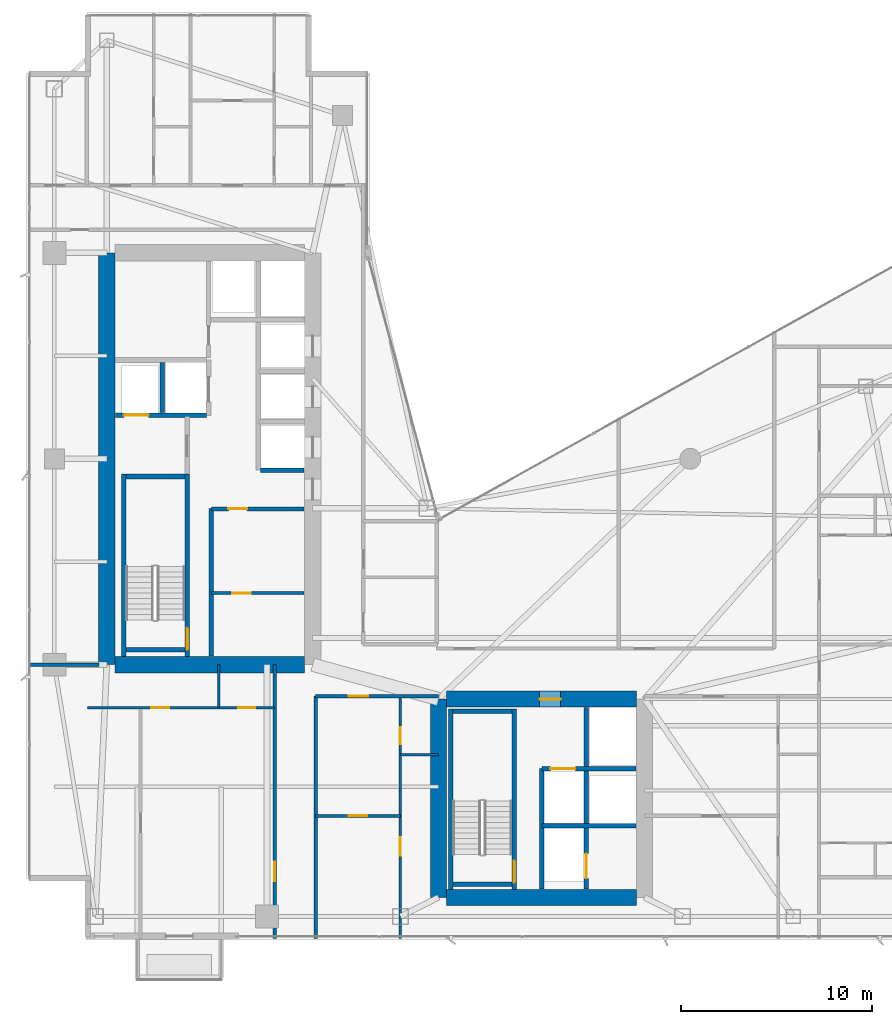
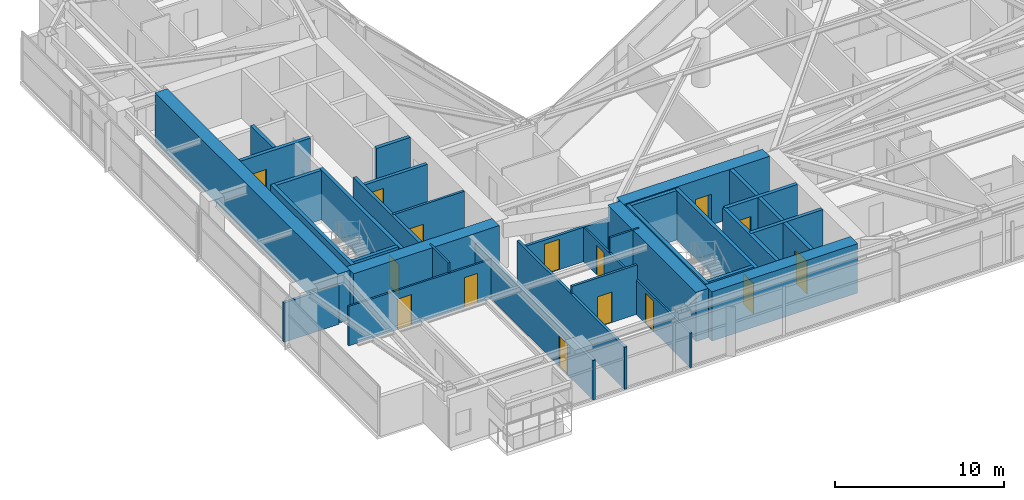
# One storey, part 22 of 28: 32 walls, 15 doors, 15 openings.
"""IFC4 building model written with IfcOpenShell, lengths in metres."""

from ifc_helpers import new_model, si_unit, direction, frame, frame_2d, origin, place, context, subcontext, project, spatial, rectangle, extrude, material, layer, layer_set, type_object, element, fill, save


model = new_model("IFC4")

# Units and contexts
model_context = context("Model", 3, precision=1e-05, world=origin(), true_north=direction((0.0, 1.0)))
body_context = subcontext(model_context, "Body", "Model", "MODEL_VIEW")
ifc_project = project(units=[si_unit("LENGTHUNIT", "METRE"), si_unit("AREAUNIT", "SQUARE_METRE"), si_unit("VOLUMEUNIT", "CUBIC_METRE"), si_unit("PLANEANGLEUNIT", "RADIAN"), si_unit("MASSUNIT", "GRAM", prefix="KILO")], contexts=[model_context])

# Site, building, storey
site_placement = place(None, origin())
site = spatial("IfcSite", under=ifc_project, at=site_placement, CompositionType="ELEMENT")
building_placement = place(site_placement, origin())
building = spatial("IfcBuilding", under=site, at=building_placement, Name="Calvorn Quay Hotel", CompositionType="ELEMENT")
storey_placement = place(building_placement, frame((0.0, 0.0, 127.800048828125)))
storey = spatial("IfcBuildingStorey", under=building, at=storey_placement, Name="L31", CompositionType="ELEMENT", Elevation=127.800048828125)

# Walls
ifc_material_1 = material(Name="Concrete C50", Category="concrete")
ifc_layer_1 = layer(ifc_material_1, 0.85009765625)
ifc_layer_set_1 = layer_set([ifc_layer_1], Name="WL-CORE-850")
wall_type_1 = type_object("IfcWallType", Name="WL-CORE-850", PredefinedType="SHEAR", material=ifc_layer_set_1)
wall_1_placement = place(storey_placement, frame((4.199951171875, 16.800048828125, 0.0), z_axis=(0.0, 0.0, 1.0), x_axis=(0.0, 1.0, 0.0)))
element("IfcWall", 1, at=wall_1_placement, inside=storey, type_object=wall_type_1, Name="West Core Shear Wall W (L31)", PredefinedType="SHEAR", context=body_context, shape_type="SweptSolid", body=[
    extrude(rectangle(XDim=21.599853515625, YDim=0.85009765625, at=frame_2d((10.7998046875, 0.0))), origin(), (0.0, 0.0, 1.0), 3.56005859375),
])
wall_2_placement = place(storey_placement, frame((4.625, 16.800048828125, 0.0), z_axis=(0.0, 0.0, 1.0), x_axis=(1.0, 0.0, 0.0)))
element("IfcWall", 2, at=wall_2_placement, inside=storey, type_object=wall_type_1, Name="West Core Shear Wall S (L31)", PredefinedType="SHEAR", context=body_context, shape_type="SweptSolid", body=[
    extrude(rectangle(XDim=9.949951171875, YDim=0.85009765625, at=frame_2d((4.97509765625, 0.0))), origin(), (0.0, 0.0, 1.0), 3.56005859375),
])
wall_3_placement = place(storey_placement, frame((21.60009765625, 4.60009765625, 0.0), z_axis=(0.0, 0.0, 1.0), x_axis=(0.0, 1.0, 0.0)))
element("IfcWall", 3, at=wall_3_placement, inside=storey, type_object=wall_type_1, Name="East Core Shear Wall W (L31)", PredefinedType="SHEAR", context=body_context, shape_type="SweptSolid", body=[
    extrude(rectangle(XDim=10.39990234375, YDim=0.85009765625, at=frame_2d((5.199951171875, 0.0))), origin(), (0.0, 0.0, 1.0), 3.56005859375),
])

# Wall, opening, door
wall_4_placement = place(storey_placement, frame((22.02490234375, 15.0, 0.0), z_axis=(0.0, 0.0, 1.0), x_axis=(1.0, 0.0, 0.0)))
wall_4 = element("IfcWall", 4, at=wall_4_placement, inside=storey, type_object=wall_type_1, Name="East Core Shear Wall N (L31)", PredefinedType="SHEAR", context=body_context, shape_type="SweptSolid", body=[
    extrude(rectangle(XDim=9.9501953125, YDim=0.85009765625, at=frame_2d((4.97509765625, 0.0))), origin(), (0.0, 0.0, 1.0), 3.56005859375),
])
opening_1_placement = place(wall_4_placement, frame((4.8798828125, 0.0, 0.0)))
opening_1 = element("IfcOpeningElement", 5, at=opening_1_placement, cuts=wall_4, Name="Opening D-L31-FLE", PredefinedType="OPENING", context=body_context, shape_type="SweptSolid", body=[
    extrude(rectangle(XDim=1.10009765625, YDim=2.199951171875, at=frame_2d((0.550048828125, 1.10009765625))), frame((0.0, 0.43505859375, 0.0), z_axis=(0.0, -1.0, 0.0), x_axis=(1.0, 0.0, 0.0)), (0.0, 0.0, 1.0), 0.8701171875),
])
ifc_material_2 = material(Name="Smoke-Sealed Steel Class A Fire Door", Category="steel")
door_type_1 = type_object("IfcDoorType", Name="DR-FFLOBBY-1100", OperationType="NOTDEFINED", PredefinedType="DOOR", material=ifc_material_2)
door_1_placement = place(opening_1_placement, origin())
door_1 = element("IfcDoor", 6, at=door_1_placement, inside=storey, type_object=door_type_1, Name="East Firefighting Lobby Fire Door (L31)", OperationType="SINGLE_SWING_LEFT", OverallHeight=2.199951171875, OverallWidth=1.10009765625, PredefinedType="DOOR", context=body_context, shape_type="SweptSolid", body=[
    extrude(rectangle(XDim=1.10009765625, YDim=2.199951171875, at=frame_2d((0.550048828125, 1.10009765625))), frame((0.0, 0.02490234375, 0.0), z_axis=(0.0, -1.0, 0.0), x_axis=(1.0, 0.0, 0.0)), (0.0, 0.0, 1.0), 0.050048828125),
])
fill(opening_1, door_1)

# Walls
wall_5_placement = place(storey_placement, frame((22.02490234375, 4.60009765625, 0.0), z_axis=(0.0, 0.0, 1.0), x_axis=(1.0, 0.0, 0.0)))
element("IfcWall", 7, at=wall_5_placement, inside=storey, type_object=wall_type_1, Name="East Core Shear Wall S (L31)", PredefinedType="SHEAR", context=body_context, shape_type="SweptSolid", body=[
    extrude(rectangle(XDim=9.9501953125, YDim=0.85009765625, at=frame_2d((4.97509765625, 0.0))), origin(), (0.0, 0.0, 1.0), 3.56005859375),
])
ifc_material_3 = material(Name="Acoustic Fireboard Steel-Stud Partition", Category="steel")
ifc_layer_2 = layer(ifc_material_3, 0.179931640625)
ifc_layer_set_2 = layer_set([ifc_layer_2], Name="WL-CORR-FIRE-180")
wall_type_2 = type_object("IfcWallType", Name="WL-CORR-FIRE-180", PredefinedType="PARTITIONING", material=ifc_layer_set_2)
wall_6_placement = place(storey_placement, frame((0.080078125, 16.800048828125, 0.0), z_axis=(0.0, 0.0, 1.0), x_axis=(1.0, 0.0, 0.0)))
element("IfcWall", 8, at=wall_6_placement, inside=storey, type_object=wall_type_2, Name="Partition Wall L31-WL-WBAY-S-WALL", PredefinedType="PARTITIONING", context=body_context, shape_type="SweptSolid", body=[
    extrude(rectangle(XDim=3.724853515625, YDim=0.179931640625, at=frame_2d((1.8623046875, 0.0))), origin(), (0.0, 0.0, 1.0), 2.83984375),
])

# Wall, opening, door
wall_7_placement = place(storey_placement, frame((13.0, 2.43994140625, 0.0), z_axis=(0.0, 0.0, 1.0), x_axis=(0.0, 1.0, 0.0)))
wall_7 = element("IfcWall", 9, at=wall_7_placement, inside=storey, type_object=wall_type_2, Name="Partition Wall L31-WL-CORR-SW-LEG-W", PredefinedType="PARTITIONING", context=body_context, shape_type="SweptSolid", body=[
    extrude(rectangle(XDim=14.360107421875, YDim=0.179931640625, at=frame_2d((7.18017578125, 0.0))), origin(), (0.0, 0.0, 1.0), 2.83984375),
])
opening_2_placement = place(wall_7_placement, frame((3.010009765625, 0.0, 0.0)))
opening_2 = element("IfcOpeningElement", 10, at=opening_2_placement, cuts=wall_7, Name="Opening D-L31-U01", PredefinedType="OPENING", context=body_context, shape_type="SweptSolid", body=[
    extrude(rectangle(XDim=1.02001953125, YDim=2.199951171875, at=frame_2d((0.510009765625, 1.10009765625))), frame((0.0, 0.099853515625, 0.0), z_axis=(0.0, -1.0, 0.0), x_axis=(1.0, 0.0, 0.0)), (0.0, 0.0, 1.0), 0.199951171875),
])
ifc_material_4 = material(Name="Solid-Core Walnut Veneer Hotel Fire Door")
door_type_2 = type_object("IfcDoorType", Name="DR-GUEST-ENTRY-1020", OperationType="NOTDEFINED", PredefinedType="DOOR", material=ifc_material_4)
door_2_placement = place(opening_2_placement, origin())
door_2 = element("IfcDoor", 11, at=door_2_placement, inside=storey, type_object=door_type_2, Name="South-West Unit Door U01 (L31)", OperationType="SINGLE_SWING_LEFT", OverallHeight=2.199951171875, OverallWidth=1.02001953125, PredefinedType="DOOR", context=body_context, shape_type="SweptSolid", body=[
    extrude(rectangle(XDim=1.02001953125, YDim=2.199951171875, at=frame_2d((0.510009765625, 1.10009765625))), frame((0.0, 0.02490234375, 0.0), z_axis=(0.0, -1.0, 0.0), x_axis=(1.0, 0.0, 0.0)), (0.0, 0.0, 1.0), 0.050048828125),
])
fill(opening_2, door_2)

# Wall
wall_8_placement = place(storey_placement, frame((15.14990234375, 2.43994140625, 0.0), z_axis=(0.0, 0.0, 1.0), x_axis=(0.0, 1.0, 0.0)))
element("IfcWall", 12, at=wall_8_placement, inside=storey, type_object=wall_type_2, Name="Partition Wall L31-WL-CORR-SW-W", PredefinedType="PARTITIONING", context=body_context, shape_type="SweptSolid", body=[
    extrude(rectangle(XDim=12.7099609375, YDim=0.179931640625, at=frame_2d((6.35498046875, 0.0))), origin(), (0.0, 0.0, 1.0), 3.0400390625),
])

# Wall, opening, door
wall_9_placement = place(storey_placement, frame((15.14990234375, 15.14990234375, 0.0), z_axis=(0.0, 0.0, 1.0), x_axis=(1.0, 0.0, 0.0)))
wall_9 = element("IfcWall", 13, at=wall_9_placement, inside=storey, type_object=wall_type_2, Name="Partition Wall L31-WL-SC-CORR-S", PredefinedType="PARTITIONING", context=body_context, shape_type="SweptSolid", body=[
    extrude(rectangle(XDim=6.4501953125, YDim=0.179931640625, at=frame_2d((3.22509765625, 0.0))), origin(), (0.0, 0.0, 1.0), 2.489990234375),
])
opening_3_placement = place(wall_9_placement, frame((1.739990234375, 0.0, 0.0)))
opening_3 = element("IfcOpeningElement", 14, at=opening_3_placement, cuts=wall_9, Name="Opening D-L31-U02", PredefinedType="OPENING", context=body_context, shape_type="SweptSolid", body=[
    extrude(rectangle(XDim=1.02001953125, YDim=2.199951171875, at=frame_2d((0.510009765625, 1.10009765625))), frame((0.0, 0.099853515625, 0.0), z_axis=(0.0, -1.0, 0.0), x_axis=(1.0, 0.0, 0.0)), (0.0, 0.0, 1.0), 0.199951171875),
])
door_3_placement = place(opening_3_placement, origin())
door_3 = element("IfcDoor", 15, at=door_3_placement, inside=storey, type_object=door_type_2, Name="Harbour Central Unit Door (L31)", OperationType="SINGLE_SWING_LEFT", OverallHeight=2.199951171875, OverallWidth=1.02001953125, PredefinedType="DOOR", context=body_context, shape_type="SweptSolid", body=[
    extrude(rectangle(XDim=1.02001953125, YDim=2.199951171875, at=frame_2d((0.510009765625, 1.10009765625))), frame((0.0, 0.02490234375, 0.0), z_axis=(0.0, -1.0, 0.0), x_axis=(1.0, 0.0, 0.0)), (0.0, 0.0, 1.0), 0.050048828125),
])
fill(opening_3, door_3)

# Wall
ifc_material_5 = material(Name="Moisture-Resistant Tile-Backed Partition")
ifc_layer_3 = layer(ifc_material_5, 0.125)
ifc_layer_set_3 = layer_set([ifc_layer_3], Name="WL-ENSUITE-125")
wall_type_3 = type_object("IfcWallType", Name="WL-ENSUITE-125", PredefinedType="PARTITIONING", material=ifc_layer_set_3)
wall_10_placement = place(storey_placement, frame((10.080078125, 14.550048828125, 0.0), z_axis=(0.0, 0.0, 1.0), x_axis=(0.0, 1.0, 0.0)))
element("IfcWall", 16, at=wall_10_placement, inside=storey, type_object=wall_type_3, Name="Partition Wall L31-WL-U01-BDV", PredefinedType="PARTITIONING", context=body_context, shape_type="SweptSolid", body=[
    extrude(rectangle(XDim=2.25, YDim=0.125, at=frame_2d((1.125, 0.0))), origin(), (0.0, 0.0, 1.0), 3.56005859375),
])

# Wall, openings, doors
wall_11_placement = place(storey_placement, frame((3.199951171875, 14.550048828125, 0.0), z_axis=(0.0, 0.0, 1.0), x_axis=(1.0, 0.0, 0.0)))
wall_11 = element("IfcWall", 17, at=wall_11_placement, inside=storey, type_object=wall_type_3, Name="Partition Wall L31-WL-U01-BH", PredefinedType="PARTITIONING", context=body_context, shape_type="SweptSolid", body=[
    extrude(rectangle(XDim=9.800048828125, YDim=0.125, at=frame_2d((4.89990234375, 0.0))), origin(), (0.0, 0.0, 1.0), 2.83984375),
])
opening_4_placement = place(wall_11_placement, frame((3.320068359375, 0.0, 0.0)))
opening_4 = element("IfcOpeningElement", 18, at=opening_4_placement, cuts=wall_11, Name="Opening D-L31-S01", PredefinedType="OPENING", context=body_context, shape_type="SweptSolid", body=[
    extrude(rectangle(XDim=0.9599609375, YDim=2.199951171875, at=frame_2d((0.47998046875, 1.10009765625))), frame((0.0, 0.072509765625, 0.0), z_axis=(0.0, -1.0, 0.0), x_axis=(1.0, 0.0, 0.0)), (0.0, 0.0, 1.0), 0.14501953125),
])
opening_5_placement = place(wall_11_placement, frame((7.889892578125, 0.0, 0.0)))
opening_5 = element("IfcOpeningElement", 19, at=opening_5_placement, cuts=wall_11, Name="Opening D-L31-E01", PredefinedType="OPENING", context=body_context, shape_type="SweptSolid", body=[
    extrude(rectangle(XDim=0.89990234375, YDim=2.14990234375, at=frame_2d((0.449951171875, 1.074951171875))), frame((0.0, 0.072509765625, 0.0), z_axis=(0.0, -1.0, 0.0), x_axis=(1.0, 0.0, 0.0)), (0.0, 0.0, 1.0), 0.14501953125),
])
ifc_material_6 = material(Name="Moisture-Sealed Timber En-Suite Door", Category="wood")
door_type_3 = type_object("IfcDoorType", Name="DR-ENSUITE-900", OperationType="NOTDEFINED", PredefinedType="DOOR", material=ifc_material_6)
door_4_placement = place(opening_5_placement, origin())
door_4 = element("IfcDoor", 20, at=door_4_placement, inside=storey, type_object=door_type_3, Name="En-Suite Door 01", OperationType="SINGLE_SWING_RIGHT", OverallHeight=2.14990234375, OverallWidth=0.89990234375, PredefinedType="DOOR", context=body_context, shape_type="SweptSolid", body=[
    extrude(rectangle(XDim=0.89990234375, YDim=2.14990234375, at=frame_2d((0.449951171875, 1.074951171875))), frame((0.0, 0.02490234375, 0.0), z_axis=(0.0, -1.0, 0.0), x_axis=(1.0, 0.0, 0.0)), (0.0, 0.0, 1.0), 0.050048828125),
])
fill(opening_5, door_4)
ifc_material_7 = material(Name="Solid Timber Internal Suite Door", Category="wood")
door_type_4 = type_object("IfcDoorType", Name="DR-SUITE-INT-960", OperationType="NOTDEFINED", PredefinedType="DOOR", material=ifc_material_7)
door_5_placement = place(opening_4_placement, origin())
door_5 = element("IfcDoor", 21, at=door_5_placement, inside=storey, type_object=door_type_4, Name="Walk-In Wardrobe Door 01", OperationType="SINGLE_SWING_LEFT", OverallHeight=2.199951171875, OverallWidth=0.9599609375, PredefinedType="DOOR", context=body_context, shape_type="SweptSolid", body=[
    extrude(rectangle(XDim=0.9599609375, YDim=2.199951171875, at=frame_2d((0.47998046875, 1.10009765625))), frame((0.0, 0.02490234375, 0.0), z_axis=(0.0, -1.0, 0.0), x_axis=(1.0, 0.0, 0.0)), (0.0, 0.0, 1.0), 0.050048828125),
])
fill(opening_4, door_5)

# Wall
wall_12_placement = place(storey_placement, frame((19.60009765625, 12.070068359375, 0.0), z_axis=(0.0, 0.0, 1.0), x_axis=(1.0, 0.0, 0.0)))
element("IfcWall", 22, at=wall_12_placement, inside=storey, type_object=wall_type_3, Name="Partition Wall L31-WL-U02-BDV", PredefinedType="PARTITIONING", context=body_context, shape_type="SweptSolid", body=[
    extrude(rectangle(XDim=2.0, YDim=0.125, at=frame_2d((1.0, 0.0))), origin(), (0.0, 0.0, 1.0), 3.56005859375),
])

# Wall, openings, doors
wall_13_placement = place(storey_placement, frame((19.60009765625, 2.43994140625, 0.0), z_axis=(0.0, 0.0, 1.0), x_axis=(0.0, 1.0, 0.0)))
wall_13 = element("IfcWall", 23, at=wall_13_placement, inside=storey, type_object=wall_type_3, Name="Partition Wall L31-WL-U02-BV", PredefinedType="PARTITIONING", context=body_context, shape_type="SweptSolid", body=[
    extrude(rectangle(XDim=12.7099609375, YDim=0.125, at=frame_2d((6.35498046875, 0.0))), origin(), (0.0, 0.0, 1.0), 2.489990234375),
])
opening_6_placement = place(wall_13_placement, frame((4.340087890625, 0.0, 0.0)))
opening_6 = element("IfcOpeningElement", 24, at=opening_6_placement, cuts=wall_13, Name="Opening D-L31-S02", PredefinedType="OPENING", context=body_context, shape_type="SweptSolid", body=[
    extrude(rectangle(XDim=0.9599609375, YDim=2.199951171875, at=frame_2d((0.47998046875, 1.10009765625))), frame((0.0, 0.072509765625, 0.0), z_axis=(0.0, -1.0, 0.0), x_axis=(1.0, 0.0, 0.0)), (0.0, 0.0, 1.0), 0.14501953125),
])
opening_7_placement = place(wall_13_placement, frame((10.179931640625, 0.0, 0.0)))
opening_7 = element("IfcOpeningElement", 25, at=opening_7_placement, cuts=wall_13, Name="Opening D-L31-E02", PredefinedType="OPENING", context=body_context, shape_type="SweptSolid", body=[
    extrude(rectangle(XDim=0.89990234375, YDim=2.14990234375, at=frame_2d((0.449951171875, 1.074951171875))), frame((0.0, 0.072509765625, 0.0), z_axis=(0.0, -1.0, 0.0), x_axis=(1.0, 0.0, 0.0)), (0.0, 0.0, 1.0), 0.14501953125),
])
door_6_placement = place(opening_7_placement, origin())
door_6 = element("IfcDoor", 26, at=door_6_placement, inside=storey, type_object=door_type_3, Name="En-Suite Door 02", OperationType="SINGLE_SWING_RIGHT", OverallHeight=2.14990234375, OverallWidth=0.89990234375, PredefinedType="DOOR", context=body_context, shape_type="SweptSolid", body=[
    extrude(rectangle(XDim=0.89990234375, YDim=2.14990234375, at=frame_2d((0.449951171875, 1.074951171875))), frame((0.0, 0.02490234375, 0.0), z_axis=(0.0, -1.0, 0.0), x_axis=(1.0, 0.0, 0.0)), (0.0, 0.0, 1.0), 0.050048828125),
])
fill(opening_7, door_6)
door_7_placement = place(opening_6_placement, origin())
door_7 = element("IfcDoor", 27, at=door_7_placement, inside=storey, type_object=door_type_4, Name="Walk-In Wardrobe Door 02", OperationType="SINGLE_SWING_LEFT", OverallHeight=2.199951171875, OverallWidth=0.9599609375, PredefinedType="DOOR", context=body_context, shape_type="SweptSolid", body=[
    extrude(rectangle(XDim=0.9599609375, YDim=2.199951171875, at=frame_2d((0.47998046875, 1.10009765625))), frame((0.0, 0.02490234375, 0.0), z_axis=(0.0, -1.0, 0.0), x_axis=(1.0, 0.0, 0.0)), (0.0, 0.0, 1.0), 0.050048828125),
])
fill(opening_6, door_7)

# Wall, opening, door
ifc_material_8 = material(Name="Double-Stud Acoustic Gypsum Partition")
ifc_layer_4 = layer(ifc_material_8, 0.159912109375)
ifc_layer_set_4 = layer_set([ifc_layer_4], Name="WL-INTERSUITE-160")
wall_type_4 = type_object("IfcWallType", Name="WL-INTERSUITE-160", PredefinedType="PARTITIONING", material=ifc_layer_set_4)
wall_14_placement = place(storey_placement, frame((9.679931640625, 20.550048828125, 0.0), z_axis=(0.0, 0.0, 1.0), x_axis=(1.0, 0.0, 0.0)))
wall_14 = element("IfcWall", 28, at=wall_14_placement, inside=storey, type_object=wall_type_4, Name="Partition Wall L31-WL-CWW-FR-SPLIT", PredefinedType="PARTITIONING", context=body_context, shape_type="SweptSolid", body=[
    extrude(rectangle(XDim=4.875, YDim=0.159912109375, at=frame_2d((2.4375, 0.0))), origin(), (0.0, 0.0, 1.0), 3.56005859375),
])
opening_8_placement = place(wall_14_placement, frame((1.10009765625, 0.0, 0.0)))
opening_8 = element("IfcOpeningElement", 29, at=opening_8_placement, cuts=wall_14, Name="Opening D-L31-FRL1", PredefinedType="OPENING", context=body_context, shape_type="SweptSolid", body=[
    extrude(rectangle(XDim=0.97998046875, YDim=2.14990234375, at=frame_2d((0.489990234375, 1.074951171875))), frame((0.0, 0.08984375, 0.0), z_axis=(0.0, -1.0, 0.0), x_axis=(1.0, 0.0, 0.0)), (0.0, 0.0, 1.0), 0.179931640625),
])
ifc_material_9 = material(Name="Painted Steel Housekeeping/Riser Fire Door", Category="steel")
door_type_5 = type_object("IfcDoorType", Name="DR-SERVICE-980", OperationType="NOTDEFINED", PredefinedType="DOOR", material=ifc_material_9)
door_8_placement = place(opening_8_placement, origin())
door_8 = element("IfcDoor", 30, at=door_8_placement, inside=storey, type_object=door_type_5, Name="Linen Store Room Door (L31)", OperationType="SINGLE_SWING_LEFT", OverallHeight=2.14990234375, OverallWidth=0.97998046875, PredefinedType="DOOR", context=body_context, shape_type="SweptSolid", body=[
    extrude(rectangle(XDim=0.97998046875, YDim=2.14990234375, at=frame_2d((0.489990234375, 1.074951171875))), frame((0.0, 0.02490234375, 0.0), z_axis=(0.0, -1.0, 0.0), x_axis=(1.0, 0.0, 0.0)), (0.0, 0.0, 1.0), 0.050048828125),
])
fill(opening_8, door_8)

wall_15_placement = place(storey_placement, frame((15.14990234375, 8.8701171875, 0.0), z_axis=(0.0, 0.0, 1.0), x_axis=(1.0, 0.0, 0.0)))
wall_15 = element("IfcWall", 31, at=wall_15_placement, inside=storey, type_object=wall_type_4, Name="Partition Wall L31-WL-U02-MSP", PredefinedType="PARTITIONING", context=body_context, shape_type="SweptSolid", body=[
    extrude(rectangle(XDim=4.4501953125, YDim=0.159912109375, at=frame_2d((2.22509765625, 0.0))), origin(), (0.0, 0.0, 1.0), 3.56005859375),
])
opening_9_placement = place(wall_15_placement, frame((1.75, 0.0, 0.0)))
opening_9 = element("IfcOpeningElement", 32, at=opening_9_placement, cuts=wall_15, Name="Opening D-L31-M02", PredefinedType="OPENING", context=body_context, shape_type="SweptSolid", body=[
    extrude(rectangle(XDim=0.9599609375, YDim=2.199951171875, at=frame_2d((0.47998046875, 1.10009765625))), frame((0.0, 0.08984375, 0.0), z_axis=(0.0, -1.0, 0.0), x_axis=(1.0, 0.0, 0.0)), (0.0, 0.0, 1.0), 0.179931640625),
])
door_9_placement = place(opening_9_placement, origin())
door_9 = element("IfcDoor", 33, at=door_9_placement, inside=storey, type_object=door_type_4, Name="Suite Bedroom Door 02", OperationType="SINGLE_SWING_LEFT", OverallHeight=2.199951171875, OverallWidth=0.9599609375, PredefinedType="DOOR", context=body_context, shape_type="SweptSolid", body=[
    extrude(rectangle(XDim=0.9599609375, YDim=2.199951171875, at=frame_2d((0.47998046875, 1.10009765625))), frame((0.0, 0.02490234375, 0.0), z_axis=(0.0, -1.0, 0.0), x_axis=(1.0, 0.0, 0.0)), (0.0, 0.0, 1.0), 0.050048828125),
])
fill(opening_9, door_9)

# Wall
ifc_material_10 = material(Name="Autoclaved Aerated Masonry Block", Category="masonry")
ifc_layer_5 = layer(ifc_material_10, 0.219970703125)
ifc_layer_set_5 = layer_set([ifc_layer_5], Name="WL-LOBBY-FIRE-220")
wall_type_5 = type_object("IfcWallType", Name="WL-LOBBY-FIRE-220", PredefinedType="SOLIDWALL", material=ifc_layer_set_5)
wall_16_placement = place(storey_placement, frame((9.679931640625, 17.2451171875, 0.0), z_axis=(0.0, 0.0, 1.0), x_axis=(0.0, 1.0, 0.0)))
element("IfcWall", 34, at=wall_16_placement, inside=storey, type_object=wall_type_5, Name="Partition Wall L31-WL-CWW-STW-HALL-E", PredefinedType="SOLIDWALL", context=body_context, shape_type="SweptSolid", body=[
    extrude(rectangle(XDim=7.7548828125, YDim=0.219970703125, at=frame_2d((3.87744140625, 0.0))), origin(), (0.0, 0.0, 1.0), 3.56005859375),
])

# Wall, opening, door
wall_17_placement = place(storey_placement, frame((9.679931640625, 24.969970703125, 0.0), z_axis=(0.0, 0.0, 1.0), x_axis=(1.0, 0.0, 0.0)))
wall_17 = element("IfcWall", 35, at=wall_17_placement, inside=storey, type_object=wall_type_5, Name="Partition Wall L31-WL-CWW-FR-N", PredefinedType="SOLIDWALL", context=body_context, shape_type="SweptSolid", body=[
    extrude(rectangle(XDim=4.875, YDim=0.219970703125, at=frame_2d((2.4375, 0.0))), origin(), (0.0, 0.0, 1.0), 2.83984375),
])
opening_10_placement = place(wall_17_placement, frame((0.89990234375, 0.0, 0.0)))
opening_10 = element("IfcOpeningElement", 36, at=opening_10_placement, cuts=wall_17, Name="Opening D-L31-FRL2", PredefinedType="OPENING", context=body_context, shape_type="SweptSolid", body=[
    extrude(rectangle(XDim=0.97998046875, YDim=2.14990234375, at=frame_2d((0.489990234375, 1.074951171875))), frame((0.0, 0.119873046875, 0.0), z_axis=(0.0, -1.0, 0.0), x_axis=(1.0, 0.0, 0.0)), (0.0, 0.0, 1.0), 0.239990234375),
])
door_10_placement = place(opening_10_placement, origin())
door_10 = element("IfcDoor", 37, at=door_10_placement, inside=storey, type_object=door_type_5, Name="Beverage Pantry Door (L31)", OperationType="SINGLE_SWING_RIGHT", OverallHeight=2.14990234375, OverallWidth=0.97998046875, PredefinedType="DOOR", context=body_context, shape_type="SweptSolid", body=[
    extrude(rectangle(XDim=0.97998046875, YDim=2.14990234375, at=frame_2d((0.489990234375, 1.074951171875))), frame((0.0, 0.02490234375, 0.0), z_axis=(0.0, -1.0, 0.0), x_axis=(1.0, 0.0, 0.0)), (0.0, 0.0, 1.0), 0.050048828125),
])
fill(opening_10, door_10)

# Wall
ifc_material_11 = material(Name="Concrete C40", Category="concrete")
ifc_layer_6 = layer(ifc_material_11, 0.239990234375)
ifc_layer_set_6 = layer_set([ifc_layer_6], Name="WL-SHAFT-240")
wall_type_6 = type_object("IfcWallType", Name="WL-SHAFT-240", PredefinedType="SOLIDWALL", material=ifc_layer_set_6)
wall_18_placement = place(storey_placement, frame((5.080078125, 17.22509765625, 0.0), z_axis=(0.0, 0.0, 1.0), x_axis=(0.0, 1.0, 0.0)))
element("IfcWall", 38, at=wall_18_placement, inside=storey, type_object=wall_type_6, Name="Stair STW Shaft Wall W (L31)", PredefinedType="SOLIDWALL", context=body_context, shape_type="SweptSolid", body=[
    extrude(rectangle(XDim=9.56494140625, YDim=0.239990234375, at=frame_2d((4.782470703125, 0.0))), origin(), (0.0, 0.0, 1.0), 3.56005859375),
])

# Wall, opening, door
wall_19_placement = place(storey_placement, frame((8.419921875, 17.22509765625, 0.0), z_axis=(0.0, 0.0, 1.0), x_axis=(0.0, 1.0, 0.0)))
wall_19 = element("IfcWall", 39, at=wall_19_placement, inside=storey, type_object=wall_type_6, Name="Stair STW Shaft Wall E (L31)", PredefinedType="SOLIDWALL", context=body_context, shape_type="SweptSolid", body=[
    extrude(rectangle(XDim=9.56494140625, YDim=0.239990234375, at=frame_2d((4.782470703125, 0.0))), origin(), (0.0, 0.0, 1.0), 3.56005859375),
])
opening_11_placement = place(wall_19_placement, frame((0.35009765625, 0.0, 0.0)))
opening_11 = element("IfcOpeningElement", 40, at=opening_11_placement, cuts=wall_19, Name="Opening D-L31-STW", PredefinedType="OPENING", context=body_context, shape_type="SweptSolid", body=[
    extrude(rectangle(XDim=1.14990234375, YDim=2.199951171875, at=frame_2d((0.574951171875, 1.10009765625))), frame((0.0, 0.1298828125, 0.0), z_axis=(0.0, -1.0, 0.0), x_axis=(1.0, 0.0, 0.0)), (0.0, 0.0, 1.0), 0.260009765625),
])
ifc_material_12 = material(Name="Galvanised Steel Class A Fire Door", Category="steel")
door_type_6 = type_object("IfcDoorType", Name="DR-STAIR-SMOKE-1150", OperationType="NOTDEFINED", PredefinedType="DOOR", material=ifc_material_12)
door_11_placement = place(opening_11_placement, origin())
door_11 = element("IfcDoor", 41, at=door_11_placement, inside=storey, type_object=door_type_6, Name="Stair ST-W Fire Door (L31)", OperationType="SINGLE_SWING_LEFT", OverallHeight=2.199951171875, OverallWidth=1.14990234375, PredefinedType="DOOR", context=body_context, shape_type="SweptSolid", body=[
    extrude(rectangle(XDim=1.14990234375, YDim=2.199951171875, at=frame_2d((0.574951171875, 1.10009765625))), frame((0.0, 0.02490234375, 0.0), z_axis=(0.0, -1.0, 0.0), x_axis=(1.0, 0.0, 0.0)), (0.0, 0.0, 1.0), 0.050048828125),
])
fill(opening_11, door_11)

# Walls
for number, where, z_axis, x_axis, name in (
    (42, (5.199951171875, 17.580078125, 0.0), (0.0, 0.0, 1.0), (1.0, 0.0, 0.0), "Stair STW Shaft Wall S (L31)"),
    (43, (5.199951171875, 26.669921875, 0.0), (0.0, 0.0, 1.0), (1.0, 0.0, 0.0), "Stair STW Shaft Wall N (L31)"),
):
    element("IfcWall", number, at=place(storey_placement, frame(where, z_axis=z_axis, x_axis=x_axis)), inside=storey, type_object=wall_type_6, Name=name, PredefinedType="SOLIDWALL", context=body_context, shape_type="SweptSolid", body=[
        extrude(rectangle(XDim=3.10009765625, YDim=0.239990234375, at=frame_2d((1.550048828125, 0.0))), origin(), (0.0, 0.0, 1.0), 3.56005859375),
    ])
wall_20_placement = place(storey_placement, frame((22.22998046875, 5.02490234375, 0.0), z_axis=(0.0, 0.0, 1.0), x_axis=(0.0, 1.0, 0.0)))
element("IfcWall", 44, at=wall_20_placement, inside=storey, type_object=wall_type_6, Name="Stair STE Shaft Wall W (L31)", PredefinedType="SOLIDWALL", context=body_context, shape_type="SweptSolid", body=[
    extrude(rectangle(XDim=9.465087890625, YDim=0.239990234375, at=frame_2d((4.732421875, 0.0))), origin(), (0.0, 0.0, 1.0), 3.56005859375),
])

# Wall, opening, door
wall_21_placement = place(storey_placement, frame((25.570068359375, 5.02490234375, 0.0), z_axis=(0.0, 0.0, 1.0), x_axis=(0.0, 1.0, 0.0)))
wall_21 = element("IfcWall", 45, at=wall_21_placement, inside=storey, type_object=wall_type_6, Name="Stair STE Shaft Wall E (L31)", PredefinedType="SOLIDWALL", context=body_context, shape_type="SweptSolid", body=[
    extrude(rectangle(XDim=9.465087890625, YDim=0.239990234375, at=frame_2d((4.732421875, 0.0))), origin(), (0.0, 0.0, 1.0), 3.56005859375),
])
opening_12_placement = place(wall_21_placement, frame((0.35009765625, 0.0, 0.0)))
opening_12 = element("IfcOpeningElement", 46, at=opening_12_placement, cuts=wall_21, Name="Opening D-L31-STE", PredefinedType="OPENING", context=body_context, shape_type="SweptSolid", body=[
    extrude(rectangle(XDim=1.14990234375, YDim=2.199951171875, at=frame_2d((0.574951171875, 1.10009765625))), frame((0.0, 0.1298828125, 0.0), z_axis=(0.0, -1.0, 0.0), x_axis=(1.0, 0.0, 0.0)), (0.0, 0.0, 1.0), 0.260009765625),
])
door_12_placement = place(opening_12_placement, origin())
door_12 = element("IfcDoor", 47, at=door_12_placement, inside=storey, type_object=door_type_6, Name="Stair ST-E Fire Door (L31)", OperationType="SINGLE_SWING_RIGHT", OverallHeight=2.199951171875, OverallWidth=1.14990234375, PredefinedType="DOOR", context=body_context, shape_type="SweptSolid", body=[
    extrude(rectangle(XDim=1.14990234375, YDim=2.199951171875, at=frame_2d((0.574951171875, 1.10009765625))), frame((0.0, 0.02490234375, 0.0), z_axis=(0.0, -1.0, 0.0), x_axis=(1.0, 0.0, 0.0)), (0.0, 0.0, 1.0), 0.050048828125),
])
fill(opening_12, door_12)

# Walls
for number, where, z_axis, x_axis, name in (
    (48, (22.35009765625, 5.280029296875, 0.0), (0.0, 0.0, 1.0), (1.0, 0.0, 0.0), "Stair STE Shaft Wall S (L31)"),
    (49, (22.35009765625, 14.3701171875, 0.0), (0.0, 0.0, 1.0), (1.0, 0.0, 0.0), "Stair STE Shaft Wall N (L31)"),
):
    element("IfcWall", number, at=place(storey_placement, frame(where, z_axis=z_axis, x_axis=x_axis)), inside=storey, type_object=wall_type_6, Name=name, PredefinedType="SOLIDWALL", context=body_context, shape_type="SweptSolid", body=[
        extrude(rectangle(XDim=3.099853515625, YDim=0.239990234375, at=frame_2d((1.5498046875, 0.0))), origin(), (0.0, 0.0, 1.0), 3.56005859375),
    ])

# Wall, opening, door
wall_22_placement = place(storey_placement, frame((4.64501953125, 29.8798828125, 0.0), z_axis=(0.0, 0.0, 1.0), x_axis=(1.0, 0.0, 0.0)))
wall_22 = element("IfcWall", 50, at=wall_22_placement, inside=storey, type_object=wall_type_6, Name="Partition Wall L31-WL-CWW-FLW-S", PredefinedType="SOLIDWALL", context=body_context, shape_type="SweptSolid", body=[
    extrude(rectangle(XDim=4.77490234375, YDim=0.239990234375, at=frame_2d((2.387451171875, 0.0))), origin(), (0.0, 0.0, 1.0), 3.56005859375),
])
opening_13_placement = place(wall_22_placement, frame((0.449951171875, 0.0, 0.0)))
opening_13 = element("IfcOpeningElement", 51, at=opening_13_placement, cuts=wall_22, Name="Opening LD-L31-FLW1", PredefinedType="OPENING", context=body_context, shape_type="SweptSolid", body=[
    extrude(rectangle(XDim=1.300048828125, YDim=2.35009765625, at=frame_2d((0.64990234375, 1.175048828125))), frame((0.0, 0.1298828125, 0.0), z_axis=(0.0, -1.0, 0.0), x_axis=(1.0, 0.0, 0.0)), (0.0, 0.0, 1.0), 0.260009765625),
])
ifc_material_13 = material(Name="Champagne-Bronze Sliding Express Lift Landing Door")
door_type_7 = type_object("IfcDoorType", Name="DR-LIFT-SHUTTLE-1300", OperationType="NOTDEFINED", PredefinedType="DOOR", material=ifc_material_13)
door_13_placement = place(opening_13_placement, origin())
door_13 = element("IfcDoor", 52, at=door_13_placement, inside=storey, type_object=door_type_7, Name="Firefighting Lift FL-W1 Landing Door (L31)", OperationType="DOUBLE_DOOR_SLIDING", OverallHeight=2.35009765625, OverallWidth=1.300048828125, PredefinedType="DOOR", context=body_context, shape_type="SweptSolid", body=[
    extrude(rectangle(XDim=1.300048828125, YDim=2.35009765625, at=frame_2d((0.64990234375, 1.175048828125))), frame((0.0, 0.02490234375, 0.0), z_axis=(0.0, -1.0, 0.0), x_axis=(1.0, 0.0, 0.0)), (0.0, 0.0, 1.0), 0.050048828125),
])
fill(opening_13, door_13)

# Walls
wall_23_placement = place(storey_placement, frame((7.10009765625, 30.02001953125, 0.0), z_axis=(0.0, 0.0, 1.0), x_axis=(0.0, 1.0, 0.0)))
element("IfcWall", 53, at=wall_23_placement, inside=storey, type_object=wall_type_6, Name="Partition Wall L31-WL-CWW-FLW-DIV", PredefinedType="SOLIDWALL", context=body_context, shape_type="SweptSolid", body=[
    extrude(rectangle(XDim=2.6298828125, YDim=0.239990234375, at=frame_2d((1.31494140625, 0.0))), origin(), (0.0, 0.0, 1.0), 3.56005859375),
])
wall_24_placement = place(storey_placement, frame((12.25, 27.0, 0.0), z_axis=(0.0, 0.0, 1.0), x_axis=(1.0, 0.0, 0.0)))
element("IfcWall", 54, at=wall_24_placement, inside=storey, type_object=wall_type_6, Name="Partition Wall L31-WL-CWW-PLM-S", PredefinedType="SOLIDWALL", context=body_context, shape_type="SweptSolid", body=[
    extrude(rectangle(XDim=2.304931640625, YDim=0.239990234375, at=frame_2d((1.15234375, 0.0))), origin(), (0.0, 0.0, 1.0), 3.56005859375),
])
wall_25_placement = place(storey_placement, frame((27.02001953125, 5.044921875, 0.0), z_axis=(0.0, 0.0, 1.0), x_axis=(0.0, 1.0, 0.0)))
element("IfcWall", 55, at=wall_25_placement, inside=storey, type_object=wall_type_6, Name="Partition Wall L31-WL-CWE-SH-W", PredefinedType="SOLIDWALL", context=body_context, shape_type="SweptSolid", body=[
    extrude(rectangle(XDim=6.30517578125, YDim=0.239990234375, at=frame_2d((3.152587890625, 0.0))), origin(), (0.0, 0.0, 1.0), 3.56005859375),
])

# Wall, opening, door
wall_26_placement = place(storey_placement, frame((27.02001953125, 11.35009765625, 0.0), z_axis=(0.0, 0.0, 1.0), x_axis=(1.0, 0.0, 0.0)))
wall_26 = element("IfcWall", 56, at=wall_26_placement, inside=storey, type_object=wall_type_6, Name="Partition Wall L31-WL-CWE-FFL-S", PredefinedType="SOLIDWALL", context=body_context, shape_type="SweptSolid", body=[
    extrude(rectangle(XDim=4.93505859375, YDim=0.239990234375, at=frame_2d((2.467529296875, 0.0))), origin(), (0.0, 0.0, 1.0), 3.56005859375),
])
opening_14_placement = place(wall_26_placement, frame((0.449951171875, 0.0, 0.0)))
opening_14 = element("IfcOpeningElement", 57, at=opening_14_placement, cuts=wall_26, Name="Opening LD-L31-FLE1", PredefinedType="OPENING", context=body_context, shape_type="SweptSolid", body=[
    extrude(rectangle(XDim=1.300048828125, YDim=2.35009765625, at=frame_2d((0.64990234375, 1.175048828125))), frame((0.0, 0.1298828125, 0.0), z_axis=(0.0, -1.0, 0.0), x_axis=(1.0, 0.0, 0.0)), (0.0, 0.0, 1.0), 0.260009765625),
])
door_14_placement = place(opening_14_placement, origin())
door_14 = element("IfcDoor", 58, at=door_14_placement, inside=storey, type_object=door_type_7, Name="Firefighting Lift FL-E1 Landing Door (L31)", OperationType="DOUBLE_DOOR_SLIDING", OverallHeight=2.35009765625, OverallWidth=1.300048828125, PredefinedType="DOOR", context=body_context, shape_type="SweptSolid", body=[
    extrude(rectangle(XDim=1.300048828125, YDim=2.35009765625, at=frame_2d((0.64990234375, 1.175048828125))), frame((0.0, 0.02490234375, 0.0), z_axis=(0.0, -1.0, 0.0), x_axis=(1.0, 0.0, 0.0)), (0.0, 0.0, 1.0), 0.050048828125),
])
fill(opening_14, door_14)

# Wall
wall_27_placement = place(storey_placement, frame((27.02001953125, 8.35009765625, 0.0), z_axis=(0.0, 0.0, 1.0), x_axis=(1.0, 0.0, 0.0)))
element("IfcWall", 59, at=wall_27_placement, inside=storey, type_object=wall_type_6, Name="Partition Wall L31-WL-CWE-SL-N", PredefinedType="SOLIDWALL", context=body_context, shape_type="SweptSolid", body=[
    extrude(rectangle(XDim=4.93505859375, YDim=0.239990234375, at=frame_2d((2.467529296875, 0.0))), origin(), (0.0, 0.0, 1.0), 3.56005859375),
])

# Wall, opening, door
wall_28_placement = place(storey_placement, frame((29.35009765625, 5.044921875, 0.0), z_axis=(0.0, 0.0, 1.0), x_axis=(0.0, 1.0, 0.0)))
wall_28 = element("IfcWall", 60, at=wall_28_placement, inside=storey, type_object=wall_type_6, Name="Partition Wall L31-WL-CWE-OB-W", PredefinedType="SOLIDWALL", context=body_context, shape_type="SweptSolid", body=[
    extrude(rectangle(XDim=9.510009765625, YDim=0.239990234375, at=frame_2d((4.7548828125, 0.0))), origin(), (0.0, 0.0, 1.0), 3.56005859375),
])
opening_15_placement = place(wall_28_placement, frame((0.550048828125, 0.0, 0.0)))
opening_15 = element("IfcOpeningElement", 61, at=opening_15_placement, cuts=wall_28, Name="Opening LD-L31-SLEI", PredefinedType="OPENING", context=body_context, shape_type="SweptSolid", body=[
    extrude(rectangle(XDim=1.300048828125, YDim=2.35009765625, at=frame_2d((0.64990234375, 1.175048828125))), frame((0.0, 0.1298828125, 0.0), z_axis=(0.0, -1.0, 0.0), x_axis=(1.0, 0.0, 0.0)), (0.0, 0.0, 1.0), 0.260009765625),
])
door_15_placement = place(opening_15_placement, origin())
door_15 = element("IfcDoor", 62, at=door_15_placement, inside=storey, type_object=door_type_7, Name="Service Lift SL-E1 Landing Door (L31)", OperationType="DOUBLE_DOOR_SLIDING", OverallHeight=2.35009765625, OverallWidth=1.300048828125, PredefinedType="DOOR", context=body_context, shape_type="SweptSolid", body=[
    extrude(rectangle(XDim=1.300048828125, YDim=2.35009765625, at=frame_2d((0.64990234375, 1.175048828125))), frame((0.0, 0.02490234375, 0.0), z_axis=(0.0, -1.0, 0.0), x_axis=(1.0, 0.0, 0.0)), (0.0, 0.0, 1.0), 0.050048828125),
])
fill(opening_15, door_15)

save(model, "model.ifc")
